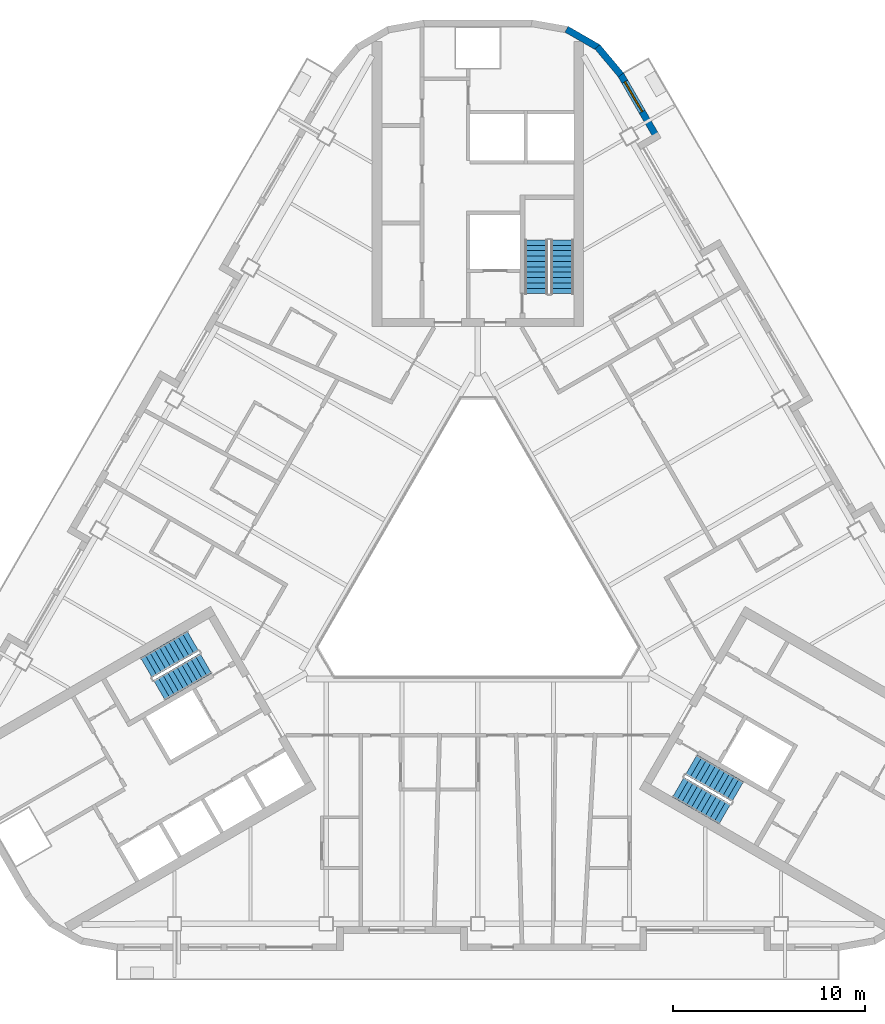
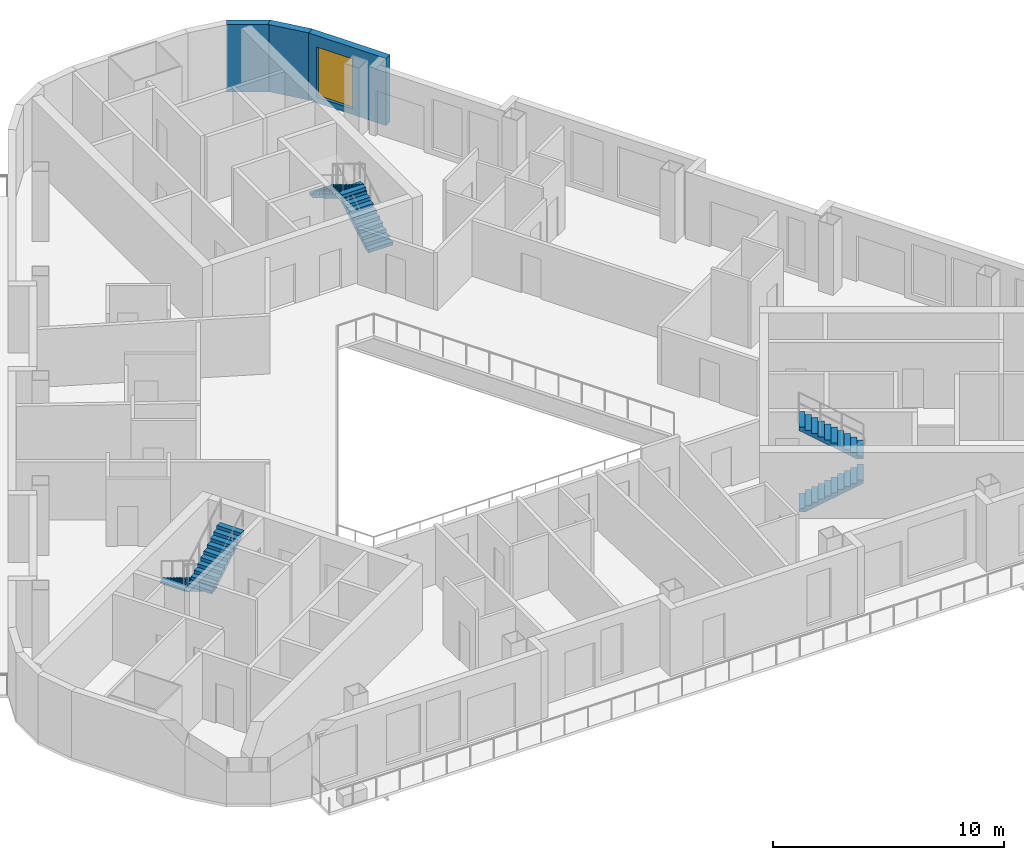
# One storey, part 8 of 14: 6 stair flights, 3 walls, 1 window, 1 opening, 3 elements without a shape of their own.
"""IFC4 building model written with IfcOpenShell, lengths in metres."""

from ifc_helpers import new_model, si_unit, direction, frame, frame_2d, origin, place, context, subcontext, project, spatial, polyline, rectangle, outline, extrude, material, layer, layer_set, type_object, element, fill, aggregate, save


model = new_model("IFC4")

# Units and contexts
model_context = context("Model", 3, precision=1e-05, world=origin(), true_north=direction((0.0, 1.0)))
body_context = subcontext(model_context, "Body", "Model", "MODEL_VIEW")
ifc_project = project(units=[si_unit("LENGTHUNIT", "METRE"), si_unit("AREAUNIT", "SQUARE_METRE"), si_unit("VOLUMEUNIT", "CUBIC_METRE"), si_unit("PLANEANGLEUNIT", "RADIAN"), si_unit("MASSUNIT", "GRAM", prefix="KILO")], contexts=[model_context])

# Site, building, storey
site_placement = place(None, origin())
site = spatial("IfcSite", under=ifc_project, at=site_placement, CompositionType="ELEMENT")
building_placement = place(site_placement, origin())
building = spatial("IfcBuilding", under=site, at=building_placement, Name="Apuvela Tower Hotel", CompositionType="ELEMENT")
storey_placement = place(building_placement, frame((0.0, 0.0, 216.89990234375)))
storey = spatial("IfcBuildingStorey", under=building, at=storey_placement, Name="L53", CompositionType="ELEMENT", Elevation=216.89990234375)

# Wall, opening, window
ifc_material_1 = material(Name="Concrete C40/50, dark pigmented precast panel", Category="concrete")
ifc_layer = layer(ifc_material_1, 0.35009765625)
ifc_layer_set = layer_set([ifc_layer], Name="ENV-WALL-350")
wall_type = type_object("IfcWallType", Name="ENV-WALL-350", PredefinedType="SOLIDWALL", material=ifc_layer_set)
wall_1_placement = place(storey_placement, frame((9.3984375, 22.631103515625, 0.0), z_axis=(0.0, 0.0, 1.0), x_axis=(-0.499954521343, 0.866051659307, 0.0)))
wall_1 = element("IfcWall", 1, at=wall_1_placement, inside=storey, type_object=wall_type, Name="External wall L53-41", PredefinedType="SOLIDWALL", context=body_context, shape_type="SweptSolid", body=[
    extrude(rectangle(XDim=3.915771484375, YDim=0.35009765625, at=frame_2d((1.9580078125, 0.0))), origin(), (0.0, 0.0, 1.0), 3.550048828125),
])
opening_placement = place(wall_1_placement, frame((1.67626953125, 0.0, 0.300048828125)))
opening = element("IfcOpeningElement", 2, at=opening_placement, cuts=wall_1, Name="Opening WN18", PredefinedType="OPENING", context=body_context, shape_type="SweptSolid", body=[
    extrude(rectangle(XDim=1.800048828125, YDim=2.64990234375, at=frame_2d((0.89990234375, 1.324951171875))), frame((0.0, 0.18505859375, 0.0), z_axis=(0.0, -1.0, 0.0), x_axis=(1.0, 0.0, 0.0)), (0.0, 0.0, 1.0), 0.3701171875),
])
ifc_material_2 = material(Name="Glass, dark tinted laminated insulated glazing unit", Category="glass")
window_type = type_object("IfcWindowType", Name="ENV-WIN-1800x2650", PartitioningType="SINGLE_PANEL", PredefinedType="WINDOW", material=ifc_material_2)
window_placement = place(opening_placement, origin())
window = element("IfcWindow", 3, at=window_placement, inside=storey, type_object=window_type, Name="Window WN18", OverallHeight=2.64990234375, OverallWidth=1.800048828125, PartitioningType="SINGLE_PANEL", PredefinedType="WINDOW", context=body_context, shape_type="SweptSolid", body=[
    extrude(rectangle(XDim=1.800048828125, YDim=2.64990234375, at=frame_2d((0.89990234375, 1.324951171875))), frame((0.0, 0.030029296875, 0.0), z_axis=(0.0, -1.0, 0.0), x_axis=(1.0, 0.0, 0.0)), (0.0, 0.0, 1.0), 0.06005859375),
])
fill(opening, window)

# Walls
wall_2_placement = place(storey_placement, frame((7.4580078125, 25.99755859375, 0.0), z_axis=(0.0, 0.0, 1.0), x_axis=(-0.642808304945, 0.766027077259, 0.0)))
element("IfcWall", 4, at=wall_2_placement, inside=storey, type_object=wall_type, Name="External wall L53-42", PredefinedType="SOLIDWALL", context=body_context, shape_type="SweptSolid", body=[
    extrude(rectangle(XDim=1.909912109375, YDim=0.35009765625, at=frame_2d((0.955078125, 0.0))), origin(), (0.0, 0.0, 1.0), 3.550048828125),
])
wall_3_placement = place(storey_placement, frame((6.27685546875, 27.421630859375, 0.0), z_axis=(0.0, 0.0, 1.0), x_axis=(-0.866032345022, 0.499987977232, 0.0)))
element("IfcWall", 5, at=wall_3_placement, inside=storey, type_object=wall_type, Name="External wall L53-43", PredefinedType="SOLIDWALL", context=body_context, shape_type="SweptSolid", body=[
    extrude(rectangle(XDim=1.91015625, YDim=0.35009765625, at=frame_2d((0.955078125, 0.0))), origin(), (0.0, 0.0, 1.0), 3.550048828125),
])

# Stair, stair flights
ifc_material_3 = material(Name="Concrete C50/60", Category="concrete")
stair_type = type_object("IfcStairType", Name="COR-STAIR-22R", PredefinedType="HALF_TURN_STAIR", material=ifc_material_3)
stair_1_placement = place(storey_placement, origin())
stair_1 = element("IfcStair", 6, at=stair_1_placement, inside=storey, type_object=stair_type, Name="L53 Exit stair ST1", PredefinedType="HALF_TURN_STAIR")
stair_flight_type = type_object("IfcStairFlightType", Name="COR-FLIGHT-11R", PredefinedType="STRAIGHT", material=ifc_material_3)
stair_flight_1_placement = place(storey_placement, frame((4.39990234375, 14.60009765625, 0.0), z_axis=(0.0, 0.0, 1.0), x_axis=(0.0, 1.0, 0.0)))
stair_flight_1 = element("IfcStairFlight", 7, at=stair_flight_1_placement, type_object=stair_flight_type, Name="ST1 flight 1", NumberOfRisers=11, NumberOfTreads=10, PredefinedType="STRAIGHT", RiserHeight=0.168181818, TreadLength=0.28, context=body_context, shape_type="SweptSolid", body=[
    extrude(outline(polyline([(0.0, 0.0), (0.0, 0.168212890625), (0.280029296875, 0.168212890625), (0.280029296875, 0.33642578125), (0.56005859375, 0.33642578125), (0.56005859375, 0.504638671875), (0.840087890625, 0.504638671875), (0.840087890625, 0.672607421875), (1.1201171875, 0.672607421875), (1.1201171875, 0.8408203125), (1.39990234375, 0.8408203125), (1.39990234375, 1.009033203125), (1.679931640625, 1.009033203125), (1.679931640625, 1.17724609375), (1.9599609375, 1.17724609375), (1.9599609375, 1.345458984375), (2.239990234375, 1.345458984375), (2.239990234375, 1.513671875), (2.52001953125, 1.513671875), (2.52001953125, 1.681884765625), (2.800048828125, 1.681884765625), (2.800048828125, 1.85009765625), (2.800048828125, 1.5068359375), (0.291015625, 0.0), (0.0, 0.0)])), frame((0.0, 0.60009765625, 0.0), z_axis=(0.0, -1.0, 0.0), x_axis=(1.0, 0.0, 0.0)), (0.0, 0.0, 1.0), 1.199951171875),
])
stair_flight_2_placement = place(storey_placement, frame((3.050048828125, 17.39990234375, 1.85009765625), z_axis=(0.0, 0.0, 1.0), x_axis=(0.0, -1.0, 0.0)))
stair_flight_2 = element("IfcStairFlight", 8, at=stair_flight_2_placement, type_object=stair_flight_type, Name="ST1 flight 2", NumberOfRisers=11, NumberOfTreads=10, PredefinedType="STRAIGHT", RiserHeight=0.168181818, TreadLength=0.28, context=body_context, shape_type="SweptSolid", body=[
    extrude(outline(polyline([(0.0, 0.0), (0.0, 0.168212890625), (0.280029296875, 0.168212890625), (0.280029296875, 0.33642578125), (0.56005859375, 0.33642578125), (0.56005859375, 0.504638671875), (0.840087890625, 0.504638671875), (0.840087890625, 0.672607421875), (1.1201171875, 0.672607421875), (1.1201171875, 0.8408203125), (1.39990234375, 0.8408203125), (1.39990234375, 1.009033203125), (1.679931640625, 1.009033203125), (1.679931640625, 1.17724609375), (1.9599609375, 1.17724609375), (1.9599609375, 1.345458984375), (2.239990234375, 1.345458984375), (2.239990234375, 1.513671875), (2.52001953125, 1.513671875), (2.52001953125, 1.681884765625), (2.800048828125, 1.681884765625), (2.800048828125, 1.85009765625), (2.800048828125, 1.5068359375), (0.291015625, 0.0), (0.0, 0.0)])), frame((0.0, 0.60009765625, 0.0), z_axis=(0.0, -1.0, 0.0), x_axis=(1.0, 0.0, 0.0)), (0.0, 0.0, 1.0), 1.199951171875),
])
aggregate(stair_1, [stair_flight_1, stair_flight_2])

stair_2_placement = place(storey_placement, origin())
stair_2 = element("IfcStair", 9, at=stair_2_placement, inside=storey, type_object=stair_type, Name="L53 Exit stair ST2", PredefinedType="HALF_TURN_STAIR")
stair_flight_3_placement = place(storey_placement, frame((-14.843994140625, -3.489501953125, 0.0), z_axis=(0.0, 0.0, 1.0), x_axis=(-0.866025403784, -0.5, 0.0)))
stair_flight_3 = element("IfcStairFlight", 10, at=stair_flight_3_placement, type_object=stair_flight_type, Name="ST2 flight 1", NumberOfRisers=11, NumberOfTreads=10, PredefinedType="STRAIGHT", RiserHeight=0.168181818, TreadLength=0.28, context=body_context, shape_type="SweptSolid", body=[
    extrude(outline(polyline([(0.0, 0.0), (0.0, 0.168212890625), (0.280029296875, 0.168212890625), (0.280029296875, 0.33642578125), (0.56005859375, 0.33642578125), (0.56005859375, 0.504638671875), (0.840087890625, 0.504638671875), (0.840087890625, 0.672607421875), (1.1201171875, 0.672607421875), (1.1201171875, 0.8408203125), (1.39990234375, 0.8408203125), (1.39990234375, 1.009033203125), (1.679931640625, 1.009033203125), (1.679931640625, 1.17724609375), (1.9599609375, 1.17724609375), (1.9599609375, 1.345458984375), (2.239990234375, 1.345458984375), (2.239990234375, 1.513671875), (2.52001953125, 1.513671875), (2.52001953125, 1.681884765625), (2.800048828125, 1.681884765625), (2.800048828125, 1.85009765625), (2.800048828125, 1.5068359375), (0.291015625, 0.0), (0.0, 0.0)])), frame((0.0, 0.60009765625, 0.0), z_axis=(0.0, -1.0, 0.0), x_axis=(1.0, 0.0, 0.0)), (0.0, 0.0, 1.0), 1.199951171875),
])
stair_flight_4_placement = place(storey_placement, frame((-16.59375, -6.05859375, 1.85009765625), z_axis=(0.0, 0.0, 1.0), x_axis=(0.866025403784, 0.5, 0.0)))
stair_flight_4 = element("IfcStairFlight", 11, at=stair_flight_4_placement, type_object=stair_flight_type, Name="ST2 flight 2", NumberOfRisers=11, NumberOfTreads=10, PredefinedType="STRAIGHT", RiserHeight=0.168181818, TreadLength=0.28, context=body_context, shape_type="SweptSolid", body=[
    extrude(outline(polyline([(0.0, 0.0), (0.0, 0.168212890625), (0.280029296875, 0.168212890625), (0.280029296875, 0.33642578125), (0.56005859375, 0.33642578125), (0.56005859375, 0.504638671875), (0.840087890625, 0.504638671875), (0.840087890625, 0.672607421875), (1.1201171875, 0.672607421875), (1.1201171875, 0.8408203125), (1.39990234375, 0.8408203125), (1.39990234375, 1.009033203125), (1.679931640625, 1.009033203125), (1.679931640625, 1.17724609375), (1.9599609375, 1.17724609375), (1.9599609375, 1.345458984375), (2.239990234375, 1.345458984375), (2.239990234375, 1.513671875), (2.52001953125, 1.513671875), (2.52001953125, 1.681884765625), (2.800048828125, 1.681884765625), (2.800048828125, 1.85009765625), (2.800048828125, 1.5068359375), (0.291015625, 0.0), (0.0, 0.0)])), frame((0.0, 0.60009765625, 0.0), z_axis=(0.0, -1.0, 0.0), x_axis=(1.0, 0.0, 0.0)), (0.0, 0.0, 1.0), 1.199951171875),
])
aggregate(stair_2, [stair_flight_3, stair_flight_4])

stair_3_placement = place(storey_placement, origin())
stair_3 = element("IfcStair", 12, at=stair_3_placement, inside=storey, type_object=stair_type, Name="L53 Exit stair ST3", PredefinedType="HALF_TURN_STAIR")
stair_flight_5_placement = place(storey_placement, frame((10.444091796875, -11.110595703125, 0.0), z_axis=(0.0, 0.0, 1.0), x_axis=(0.866025403784, -0.5, 0.0)))
stair_flight_5 = element("IfcStairFlight", 13, at=stair_flight_5_placement, type_object=stair_flight_type, Name="ST3 flight 1", NumberOfRisers=11, NumberOfTreads=10, PredefinedType="STRAIGHT", RiserHeight=0.168181818, TreadLength=0.28, context=body_context, shape_type="SweptSolid", body=[
    extrude(outline(polyline([(0.0, 0.0), (0.0, 0.168212890625), (0.280029296875, 0.168212890625), (0.280029296875, 0.33642578125), (0.56005859375, 0.33642578125), (0.56005859375, 0.504638671875), (0.840087890625, 0.504638671875), (0.840087890625, 0.672607421875), (1.1201171875, 0.672607421875), (1.1201171875, 0.8408203125), (1.39990234375, 0.8408203125), (1.39990234375, 1.009033203125), (1.679931640625, 1.009033203125), (1.679931640625, 1.17724609375), (1.9599609375, 1.17724609375), (1.9599609375, 1.345458984375), (2.239990234375, 1.345458984375), (2.239990234375, 1.513671875), (2.52001953125, 1.513671875), (2.52001953125, 1.681884765625), (2.800048828125, 1.681884765625), (2.800048828125, 1.85009765625), (2.800048828125, 1.5068359375), (0.291015625, 0.0), (0.0, 0.0)])), frame((0.0, 0.60009765625, 0.0), z_axis=(0.0, -1.0, 0.0), x_axis=(1.0, 0.0, 0.0)), (0.0, 0.0, 1.0), 1.199951171875),
])
stair_flight_6_placement = place(storey_placement, frame((13.5439453125, -11.34130859375, 1.85009765625), z_axis=(0.0, 0.0, 1.0), x_axis=(-0.866025403784, 0.5, 0.0)))
stair_flight_6 = element("IfcStairFlight", 14, at=stair_flight_6_placement, type_object=stair_flight_type, Name="ST3 flight 2", NumberOfRisers=11, NumberOfTreads=10, PredefinedType="STRAIGHT", RiserHeight=0.168181818, TreadLength=0.28, context=body_context, shape_type="SweptSolid", body=[
    extrude(outline(polyline([(0.0, 0.0), (0.0, 0.168212890625), (0.280029296875, 0.168212890625), (0.280029296875, 0.33642578125), (0.56005859375, 0.33642578125), (0.56005859375, 0.504638671875), (0.840087890625, 0.504638671875), (0.840087890625, 0.672607421875), (1.1201171875, 0.672607421875), (1.1201171875, 0.8408203125), (1.39990234375, 0.8408203125), (1.39990234375, 1.009033203125), (1.679931640625, 1.009033203125), (1.679931640625, 1.17724609375), (1.9599609375, 1.17724609375), (1.9599609375, 1.345458984375), (2.239990234375, 1.345458984375), (2.239990234375, 1.513671875), (2.52001953125, 1.513671875), (2.52001953125, 1.681884765625), (2.800048828125, 1.681884765625), (2.800048828125, 1.85009765625), (2.800048828125, 1.5068359375), (0.291015625, 0.0), (0.0, 0.0)])), frame((0.0, 0.60009765625, 0.0), z_axis=(0.0, -1.0, 0.0), x_axis=(1.0, 0.0, 0.0)), (0.0, 0.0, 1.0), 1.199951171875),
])
aggregate(stair_3, [stair_flight_5, stair_flight_6])

save(model, "model.ifc")
